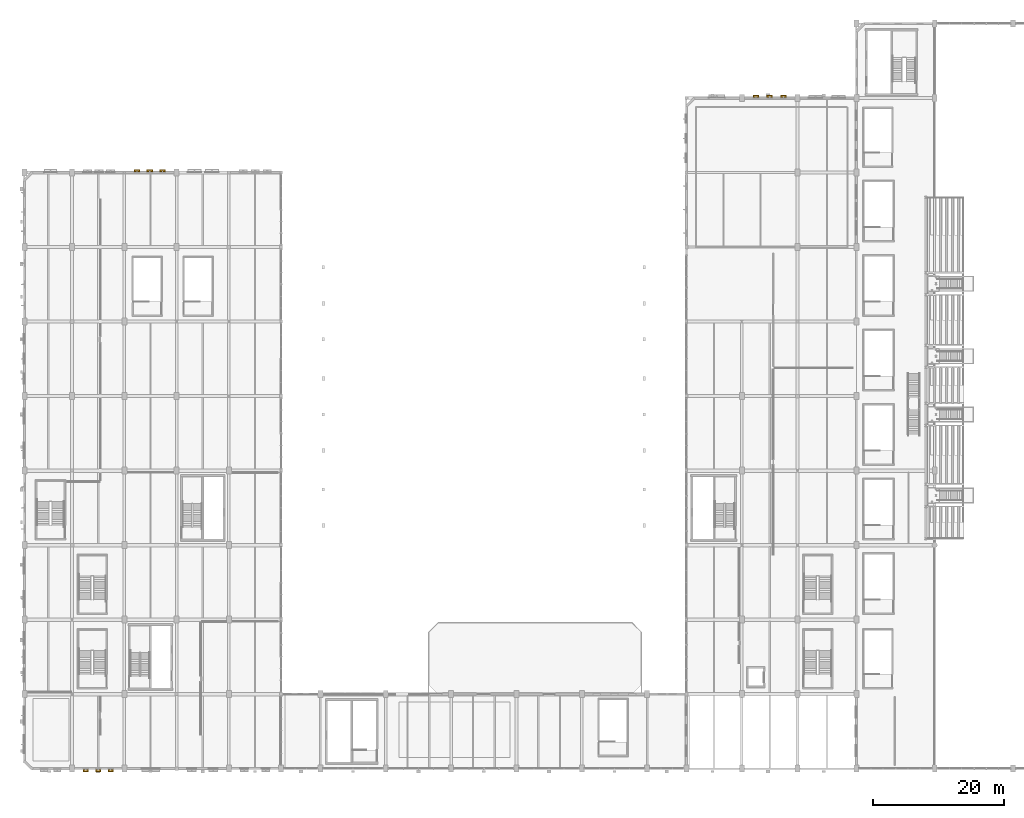
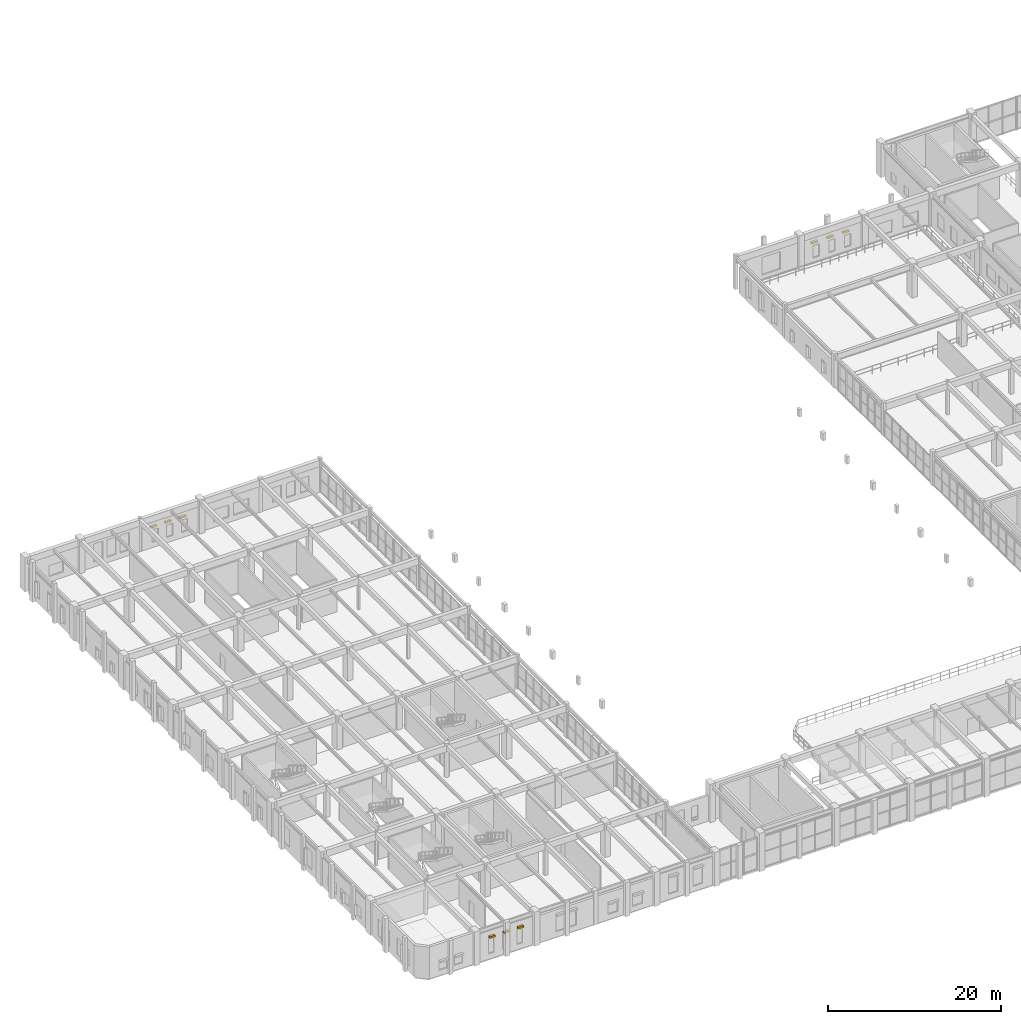
# One storey, part 106 of 106: 9 shading devices.
"""IFC4 building model written with IfcOpenShell, lengths in metres."""

from ifc_helpers import new_model, si_unit, direction, frame, origin, origin_2d, place, context, subcontext, project, spatial, rectangle, extrude, material, type_object, element, save


model = new_model("IFC4")

# Units and contexts
model_context = context("Model", 3, precision=1e-05, world=origin(), true_north=direction((0.0, 1.0)))
body_context = subcontext(model_context, "Body", "Model", "MODEL_VIEW")
ifc_project = project(units=[si_unit("LENGTHUNIT", "METRE"), si_unit("AREAUNIT", "SQUARE_METRE"), si_unit("VOLUMEUNIT", "CUBIC_METRE"), si_unit("PLANEANGLEUNIT", "RADIAN"), si_unit("MASSUNIT", "GRAM", prefix="KILO"), si_unit("POWERUNIT", "WATT"), si_unit("THERMODYNAMICTEMPERATUREUNIT", "KELVIN")], contexts=[model_context])

# Site, building, storey
site_placement = place(None, origin())
site = spatial("IfcSite", under=ifc_project, at=site_placement, CompositionType="ELEMENT")
building_placement = place(site_placement, origin())
building = spatial("IfcBuilding", under=site, at=building_placement, Name="Kelmbourne Parkland Aquatics Centre", CompositionType="ELEMENT")
storey_placement = place(building_placement, frame((0.0, 0.0, 5.39990234375)))
storey = spatial("IfcBuildingStorey", under=building, at=storey_placement, Name="L01", CompositionType="ELEMENT", Elevation=5.39990234375)

# Shading devices
ifc_material = material(Name="Architectural extruded terracotta baguettes", Category="masonry")
shading_device_type = type_object("IfcShadingDeviceType", Name="SHD-JAL-1", PredefinedType="JALOUSIE", material=ifc_material)
for number, where, z_axis, x_axis, name in (
    (1, (10.10205078125, 0.5048828125, 3.10009765625), (0.0, 0.0, 1.0), (1.0, 0.0, 0.0), "Terracotta horizontal jalousie hood 096"),
    (2, (12.0, 0.5048828125, 3.10009765625), (0.0, 0.0, 1.0), (1.0, 0.0, 0.0), "Terracotta horizontal jalousie hood 097"),
    (3, (13.89794921875, 0.5048828125, 3.10009765625), (0.0, 0.0, 1.0), (1.0, 0.0, 0.0), "Terracotta horizontal jalousie hood 098"),
):
    element("IfcShadingDevice", number, at=place(storey_placement, frame(where, z_axis=z_axis, x_axis=x_axis)), inside=storey, type_object=shading_device_type, Name=name, PredefinedType="JALOUSIE", context=body_context, shape_type="SweptSolid", body=[
        extrude(rectangle(XDim=0.75, YDim=0.300048828125, at=origin_2d()), origin(), (0.0, 0.0, 1.0), 0.239990234375),
    ])
for number, where, z_axis, x_axis, name in (
    (4, (17.927001953125, 92.294921875, 2.5), (0.0, 0.0, 1.0), (1.0, 0.0, 0.0), "Terracotta horizontal jalousie hood 108"),
    (5, (19.887451171875, 92.294921875, 2.5), (0.0, 0.0, 1.0), (1.0, 0.0, 0.0), "Terracotta horizontal jalousie hood 109"),
    (6, (21.847900390625, 92.294921875, 2.5), (0.0, 0.0, 1.0), (1.0, 0.0, 0.0), "Terracotta horizontal jalousie hood 110"),
    (7, (112.652099609375, 103.715087890625, 2.5), (0.0, 0.0, 1.0), (1.0, 0.0, 0.0), "Terracotta horizontal jalousie hood 123"),
    (8, (114.75, 103.715087890625, 2.5), (0.0, 0.0, 1.0), (1.0, 0.0, 0.0), "Terracotta horizontal jalousie hood 124"),
    (9, (116.847900390625, 103.715087890625, 2.5), (0.0, 0.0, 1.0), (1.0, 0.0, 0.0), "Terracotta horizontal jalousie hood 125"),
):
    element("IfcShadingDevice", number, at=place(storey_placement, frame(where, z_axis=z_axis, x_axis=x_axis)), inside=storey, type_object=shading_device_type, Name=name, PredefinedType="JALOUSIE", context=body_context, shape_type="SweptSolid", body=[
        extrude(rectangle(XDim=0.85009765625, YDim=0.300048828125, at=origin_2d()), origin(), (0.0, 0.0, 1.0), 0.239990234375),
    ])

save(model, "model.ifc")
